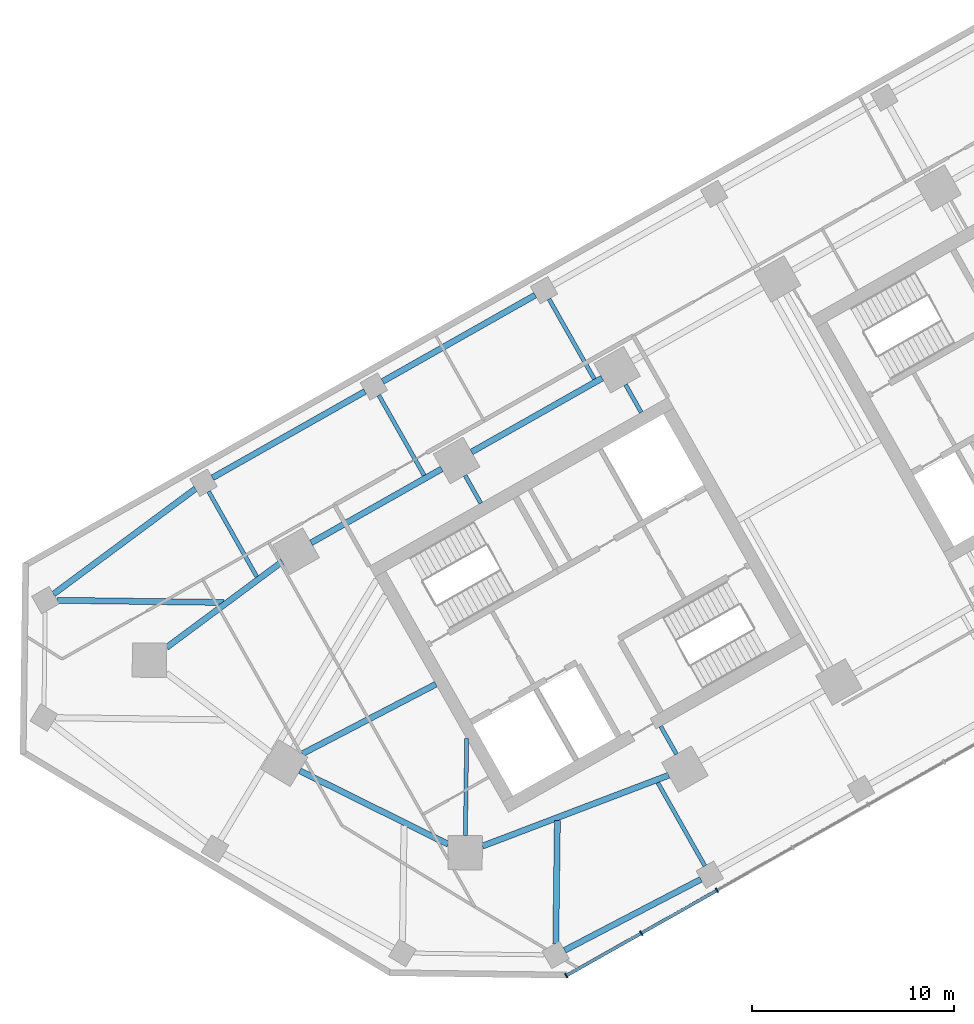
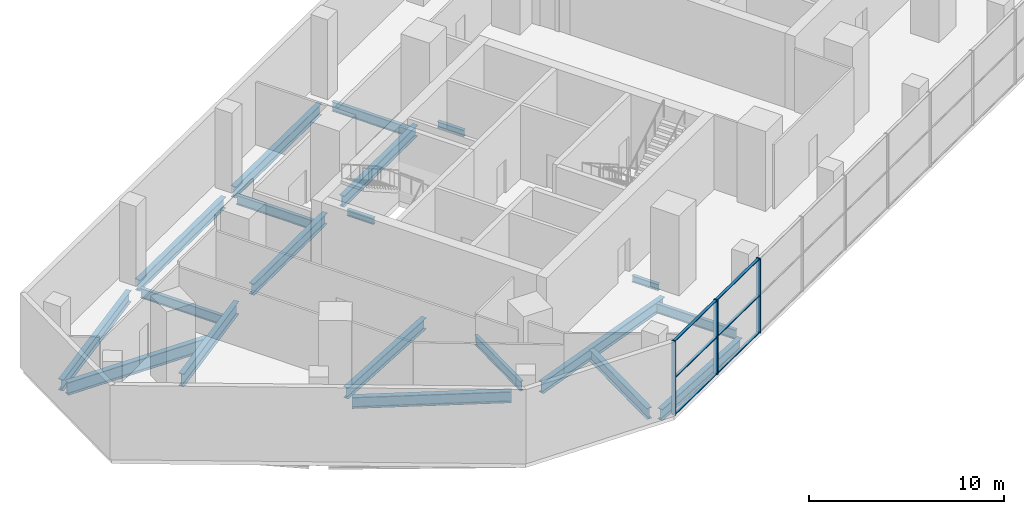
# One storey, part 2 of 15: 20 beams, 9 members, 1 element without a shape of its own.
"""IFC4 building model written with IfcOpenShell, lengths in metres."""

from ifc_helpers import new_model, si_unit, direction, frame, origin, origin_2d, place, context, subcontext, project, spatial, rectangle, i_section, extrude, material, material_profile, profile_set, type_object, element, aggregate, save


model = new_model("IFC4")

# Units and contexts
model_context = context("Model", 3, precision=1e-05, world=origin(), true_north=direction((0.0, 1.0)))
body_context = subcontext(model_context, "Body", "Model", "MODEL_VIEW")
ifc_project = project(units=[si_unit("LENGTHUNIT", "METRE"), si_unit("AREAUNIT", "SQUARE_METRE"), si_unit("VOLUMEUNIT", "CUBIC_METRE"), si_unit("PLANEANGLEUNIT", "RADIAN"), si_unit("MASSUNIT", "GRAM", prefix="KILO")], contexts=[model_context])

# Site, building, storey
site_placement = place(None, origin())
site = spatial("IfcSite", under=ifc_project, at=site_placement, CompositionType="ELEMENT")
building_placement = place(site_placement, origin())
building = spatial("IfcBuilding", under=site, at=building_placement, Name="Binnacle Exchange Tower", CompositionType="ELEMENT")
storey_placement = place(building_placement, frame((0.0, 0.0, 16.5)))
storey = spatial("IfcBuildingStorey", under=building, at=storey_placement, Name="L03", CompositionType="ELEMENT", Elevation=16.5)

# Curtain wall, members
ifc_material_1 = material(Name="Bronze anodised aluminium frame", Category="aluminium")
curtain_wall_type = type_object("IfcCurtainWallType", Name="External wall - curtain wall podium harbour front", PredefinedType="NOTDEFINED", material=ifc_material_1)
curtain_wall_placement = place(storey_placement, origin())
curtain_wall = element("IfcCurtainWall", 1, at=curtain_wall_placement, inside=storey, type_object=curtain_wall_type, Name="External wall curtain wall CW3-P06 L03", PredefinedType="NOTDEFINED")
ifc_material_profile_1 = material_profile(ifc_material_1, rectangle(XDim=0.25, YDim=0.070068359375, at=origin_2d()), Name="AL 70x250")
ifc_profile_set_1 = profile_set([ifc_material_profile_1], Name="Bronze anodised aluminium frame")
member_type_1 = type_object("IfcMemberType", Name="CW3 MULLION 70x250", PredefinedType="MULLION", material=ifc_profile_set_1)
member_1_placement = place(storey_placement, frame((-36.85400390625, 21.404052734375, 0.0), z_axis=(0.0, 0.0, 1.0), x_axis=(-0.492423763004, 0.870355581144, 0.0)))
member_1 = element("IfcMember", 2, at=member_1_placement, type_object=member_type_1, Name="CW3-P06 mullion 1", PredefinedType="MULLION", context=body_context, shape_type="SweptSolid", body=[
    extrude(rectangle(XDim=0.25, YDim=0.070068359375, at=origin_2d()), origin(), (0.0, 0.0, 1.0), 4.64990234375),
])
member_2_placement = place(storey_placement, frame((-33.136962890625, 23.50732421875, 0.0), z_axis=(0.0, 0.0, 1.0), x_axis=(-0.492423763004, 0.870355581144, 0.0)))
member_2 = element("IfcMember", 3, at=member_2_placement, type_object=member_type_1, Name="CW3-P06 mullion 2", PredefinedType="MULLION", context=body_context, shape_type="SweptSolid", body=[
    extrude(rectangle(XDim=0.25, YDim=0.070068359375, at=origin_2d()), origin(), (0.0, 0.0, 1.0), 4.64990234375),
])
member_3_placement = place(storey_placement, frame((-29.38916015625, 25.62744140625, 0.0), z_axis=(0.0, 0.0, 1.0), x_axis=(-0.492423763004, 0.870355581144, 0.0)))
member_3 = element("IfcMember", 4, at=member_3_placement, type_object=member_type_1, Name="CW3-P06 mullion 3", PredefinedType="MULLION", context=body_context, shape_type="SweptSolid", body=[
    extrude(rectangle(XDim=0.25, YDim=0.070068359375, at=origin_2d()), origin(), (0.0, 0.0, 1.0), 4.64990234375),
])
ifc_material_profile_2 = material_profile(ifc_material_1, rectangle(XDim=0.159912109375, YDim=0.050048828125, at=origin_2d()), Name="AL 160x50")
ifc_profile_set_2 = profile_set([ifc_material_profile_2], Name="Bronze anodised aluminium frame")
member_type_2 = type_object("IfcMemberType", Name="CW3 TRANSOM 50x160", PredefinedType="USERDEFINED", material=ifc_profile_set_2)
member_4_placement = place(storey_placement, frame((-36.823486328125, 21.42138671875, 0.02490234375), z_axis=(0.870356022884, 0.492422982231, 0.0), x_axis=(-0.492422982231, 0.870356022884, 0.0)))
member_4 = element("IfcMember", 5, at=member_4_placement, type_object=member_type_2, Name="CW3-P06 transom 1.1", ObjectType="TRANSOM", PredefinedType="USERDEFINED", context=body_context, shape_type="SweptSolid", body=[
    extrude(rectangle(XDim=0.159912109375, YDim=0.050048828125, at=origin_2d()), origin(), (0.0, 0.0, 1.0), 4.200927734375),
])
member_5_placement = place(storey_placement, frame((-36.823486328125, 21.42138671875, 2.324951171875), z_axis=(0.870356022884, 0.492422982231, 0.0), x_axis=(-0.492422982231, 0.870356022884, 0.0)))
member_5 = element("IfcMember", 6, at=member_5_placement, type_object=member_type_2, Name="CW3-P06 transom 1.2", ObjectType="TRANSOM", PredefinedType="USERDEFINED", context=body_context, shape_type="SweptSolid", body=[
    extrude(rectangle(XDim=0.159912109375, YDim=0.050048828125, at=origin_2d()), origin(), (0.0, 0.0, 1.0), 4.200927734375),
])
member_6_placement = place(storey_placement, frame((-36.823486328125, 21.42138671875, 4.625), z_axis=(0.870356022884, 0.492422982231, 0.0), x_axis=(-0.492422982231, 0.870356022884, 0.0)))
member_6 = element("IfcMember", 7, at=member_6_placement, type_object=member_type_2, Name="CW3-P06 transom 1.3", ObjectType="TRANSOM", PredefinedType="USERDEFINED", context=body_context, shape_type="SweptSolid", body=[
    extrude(rectangle(XDim=0.159912109375, YDim=0.050048828125, at=origin_2d()), origin(), (0.0, 0.0, 1.0), 4.200927734375),
])
member_7_placement = place(storey_placement, frame((-33.1064453125, 23.5244140625, 0.02490234375), z_axis=(0.870349143132, 0.492435141972, 0.0), x_axis=(-0.492435141972, 0.870349143132, 0.0)))
member_7 = element("IfcMember", 8, at=member_7_placement, type_object=member_type_2, Name="CW3-P06 transom 2.1", ObjectType="TRANSOM", PredefinedType="USERDEFINED", context=body_context, shape_type="SweptSolid", body=[
    extrude(rectangle(XDim=0.159912109375, YDim=0.050048828125, at=origin_2d()), origin(), (0.0, 0.0, 1.0), 4.236083984375),
])
member_8_placement = place(storey_placement, frame((-33.1064453125, 23.5244140625, 2.324951171875), z_axis=(0.870349143132, 0.492435141972, 0.0), x_axis=(-0.492435141972, 0.870349143132, 0.0)))
member_8 = element("IfcMember", 9, at=member_8_placement, type_object=member_type_2, Name="CW3-P06 transom 2.2", ObjectType="TRANSOM", PredefinedType="USERDEFINED", context=body_context, shape_type="SweptSolid", body=[
    extrude(rectangle(XDim=0.159912109375, YDim=0.050048828125, at=origin_2d()), origin(), (0.0, 0.0, 1.0), 4.236083984375),
])
member_9_placement = place(storey_placement, frame((-33.1064453125, 23.5244140625, 4.625), z_axis=(0.870349143132, 0.492435141972, 0.0), x_axis=(-0.492435141972, 0.870349143132, 0.0)))
member_9 = element("IfcMember", 10, at=member_9_placement, type_object=member_type_2, Name="CW3-P06 transom 2.3", ObjectType="TRANSOM", PredefinedType="USERDEFINED", context=body_context, shape_type="SweptSolid", body=[
    extrude(rectangle(XDim=0.159912109375, YDim=0.050048828125, at=origin_2d()), origin(), (0.0, 0.0, 1.0), 4.236083984375),
])
aggregate(curtain_wall, [member_1, member_2, member_3, member_4, member_5, member_6, member_7, member_8, member_9])

# Beams
ifc_material_2 = material(Name="Steel S355 (SHN355)", Category="steel")
ifc_material_profile_3 = material_profile(ifc_material_2, i_section(OverallWidth=0.300048828125, OverallDepth=0.699951171875, WebThickness=0.012939453125, FlangeThickness=0.02392578125, FilletRadius=0.028076171875, at=origin_2d()), Name="H 700x300x13x24")
ifc_profile_set_3 = profile_set([ifc_material_profile_3], Name="Steel S355 (SHN355)")
beam_type_1 = type_object("IfcBeamType", Name="Edge girder H 700x300x13x24 Steel S355 (SHN355)", PredefinedType="SPANDREL", material=ifc_profile_set_3)
beam_1_placement = place(storey_placement, frame((-62.2421875, 40.302978515625, -0.699951171875), z_axis=(0.803179419827, 0.5957372068, 0.0), x_axis=(-0.5957372068, 0.803179419827, 0.0)))
element("IfcBeam", 11, at=beam_1_placement, inside=storey, type_object=beam_type_1, Name="S:BM:edge:L03:015", PredefinedType="SPANDREL", context=body_context, shape_type="SweptSolid", body=[
    extrude(i_section(OverallWidth=0.300048828125, OverallDepth=0.699951171875, WebThickness=0.012939453125, FlangeThickness=0.02392578125, FilletRadius=0.028076171875, at=origin_2d()), origin(), (0.0, 0.0, 1.0), 8.750244140625),
])
beam_2_placement = place(storey_placement, frame((-54.374267578125, 46.06201171875, -0.699951171875), z_axis=(0.870345980185, 0.492440732247, 0.0), x_axis=(-0.492440732247, 0.870345980185, 0.0)))
element("IfcBeam", 12, at=beam_2_placement, inside=storey, type_object=beam_type_1, Name="S:BM:edge:L03:018", PredefinedType="SPANDREL", context=body_context, shape_type="SweptSolid", body=[
    extrude(i_section(OverallWidth=0.300048828125, OverallDepth=0.699951171875, WebThickness=0.012939453125, FlangeThickness=0.02392578125, FilletRadius=0.028076171875, at=origin_2d()), origin(), (0.0, 0.0, 1.0), 8.68408203125),
])
beam_3_placement = place(storey_placement, frame((-50.0478515625, 31.55224609375, -0.699951171875), z_axis=(0.896059216286, -0.443934545749, 0.0), x_axis=(0.443934545749, 0.896059216286, 0.0)))
element("IfcBeam", 13, at=beam_3_placement, inside=storey, type_object=beam_type_1, Name="S:BM:edge:L03:020", PredefinedType="SPANDREL", context=body_context, shape_type="SweptSolid", body=[
    extrude(i_section(OverallWidth=0.300048828125, OverallDepth=0.699951171875, WebThickness=0.012939453125, FlangeThickness=0.02392578125, FilletRadius=0.028076171875, at=origin_2d()), origin(), (0.0, 0.0, 1.0), 8.197509765625),
])
beam_4_placement = place(storey_placement, frame((-45.94580078125, 50.830810546875, -0.699951171875), z_axis=(0.870370078582, 0.492398138003, 0.0), x_axis=(-0.492398138003, 0.870370078582, 0.0)))
element("IfcBeam", 14, at=beam_4_placement, inside=storey, type_object=beam_type_1, Name="S:BM:edge:L03:021", PredefinedType="SPANDREL", context=body_context, shape_type="SweptSolid", body=[
    extrude(i_section(OverallWidth=0.300048828125, OverallDepth=0.699951171875, WebThickness=0.012939453125, FlangeThickness=0.02392578125, FilletRadius=0.028076171875, at=origin_2d()), origin(), (0.0, 0.0, 1.0), 8.683837890625),
])
beam_5_placement = place(storey_placement, frame((-43.019775390625, 46.5, -0.699951171875), z_axis=(-0.870364477798, -0.492408037898, 0.0), x_axis=(0.492408037898, -0.870364477798, 0.0)))
element("IfcBeam", 15, at=beam_5_placement, inside=storey, type_object=beam_type_1, Name="S:BM:edge:L03:023", PredefinedType="SPANDREL", context=body_context, shape_type="SweptSolid", body=[
    extrude(i_section(OverallWidth=0.300048828125, OverallDepth=0.699951171875, WebThickness=0.012939453125, FlangeThickness=0.02392578125, FilletRadius=0.028076171875, at=origin_2d()), origin(), (0.0, 0.0, 1.0), 7.4296875),
])
beam_6_placement = place(storey_placement, frame((-35.073486328125, 50.995849609375, -0.699951171875), z_axis=(-0.870372444894, -0.492393955253, 0.0), x_axis=(0.492393955253, -0.870372444894, 0.0)))
element("IfcBeam", 16, at=beam_6_placement, inside=storey, type_object=beam_type_1, Name="S:BM:edge:L03:027", PredefinedType="SPANDREL", context=body_context, shape_type="SweptSolid", body=[
    extrude(i_section(OverallWidth=0.300048828125, OverallDepth=0.699951171875, WebThickness=0.012939453125, FlangeThickness=0.02392578125, FilletRadius=0.028076171875, at=origin_2d()), origin(), (0.0, 0.0, 1.0), 7.429931640625),
])
beam_7_placement = place(storey_placement, frame((-30.184326171875, 26.17431640625, -0.699951171875), z_axis=(-0.88697979282, -0.461808236315, 0.0), x_axis=(0.461808236315, -0.88697979282, 0.0)))
element("IfcBeam", 17, at=beam_7_placement, inside=storey, type_object=beam_type_1, Name="S:BM:edge:L03:029", PredefinedType="SPANDREL", context=body_context, shape_type="SweptSolid", body=[
    extrude(i_section(OverallWidth=0.300048828125, OverallDepth=0.699951171875, WebThickness=0.012939453125, FlangeThickness=0.02392578125, FilletRadius=0.028076171875, at=origin_2d()), origin(), (0.0, 0.0, 1.0), 7.610107421875),
])
ifc_material_profile_4 = material_profile(ifc_material_2, i_section(OverallWidth=0.302001953125, OverallDepth=0.7080078125, WebThickness=0.014892578125, FlangeThickness=0.028076171875, FilletRadius=0.028076171875, at=origin_2d()), Name="H 708x302x15x28")
ifc_profile_set_4 = profile_set([ifc_material_profile_4], Name="Steel S355 (SHN355)")
beam_type_2 = type_object("IfcBeamType", Name="Edge girder H 708x302x15x28 Steel S355 (SHN355)", PredefinedType="SPANDREL", material=ifc_profile_set_4)
beam_8_placement = place(storey_placement, frame((-41.00341796875, 27.81982421875, -0.7041015625), z_axis=(0.934628738252, 0.355624973297, 0.0), x_axis=(-0.355624973297, 0.934628738252, 0.0)))
element("IfcBeam", 18, at=beam_8_placement, inside=storey, type_object=beam_type_2, Name="S:BM:edge:L03:024", PredefinedType="SPANDREL", context=body_context, shape_type="SweptSolid", body=[
    extrude(i_section(OverallWidth=0.302001953125, OverallDepth=0.7080078125, WebThickness=0.014892578125, FlangeThickness=0.028076171875, FilletRadius=0.028076171875, at=origin_2d()), origin(), (0.0, 0.0, 1.0), 9.869384765625),
])
ifc_material_profile_5 = material_profile(ifc_material_2, i_section(OverallWidth=0.300048828125, OverallDepth=0.800048828125, WebThickness=0.013916015625, FlangeThickness=0.02587890625, FilletRadius=0.028076171875, at=origin_2d()), Name="H 800x300x14x26")
ifc_profile_set_5 = profile_set([ifc_material_profile_5], Name="Steel S355 (SHN355)")
beam_type_3 = type_object("IfcBeamType", Name="Edge girder H 800x300x14x26 Steel S355 (SHN355)", PredefinedType="SPANDREL", material=ifc_profile_set_5)
beam_9_placement = place(storey_placement, frame((-50.913818359375, 41.912353515625, -0.75), z_axis=(-0.80288535334, -0.59613346609, 0.0), x_axis=(0.59613346609, -0.80288535334, 0.0)))
element("IfcBeam", 19, at=beam_9_placement, inside=storey, type_object=beam_type_3, Name="S:BM:edge:L03:019", PredefinedType="SPANDREL", context=body_context, shape_type="SweptSolid", body=[
    extrude(i_section(OverallWidth=0.300048828125, OverallDepth=0.800048828125, WebThickness=0.013916015625, FlangeThickness=0.02587890625, FilletRadius=0.028076171875, at=origin_2d()), origin(), (0.0, 0.0, 1.0), 7.125244140625),
])
ifc_material_profile_6 = material_profile(ifc_material_2, i_section(OverallWidth=0.199951171875, OverallDepth=0.39990234375, WebThickness=0.008056640625, FlangeThickness=0.012939453125, FilletRadius=0.01611328125, at=origin_2d()), Name="H 400x200x8x13")
ifc_profile_set_6 = profile_set([ifc_material_profile_6], Name="Steel S355 (SHN355)")
beam_type_4 = type_object("IfcBeamType", Name="Floor beam H 400x200x8x13 Steel S355 (SHN355)", PredefinedType="BEAM", material=ifc_profile_set_6)
beam_10_placement = place(storey_placement, frame((-41.861328125, 46.178955078125, -0.550048828125), z_axis=(0.492366981934, -0.870387703901, 0.0), x_axis=(0.870387703901, 0.492366981934, 0.0)))
element("IfcBeam", 20, at=beam_10_placement, inside=storey, type_object=beam_type_4, Name="S:BM:cross:L03:083", PredefinedType="BEAM", context=body_context, shape_type="SweptSolid", body=[
    extrude(i_section(OverallWidth=0.199951171875, OverallDepth=0.39990234375, WebThickness=0.008056640625, FlangeThickness=0.012939453125, FilletRadius=0.01611328125, at=origin_2d()), origin(), (0.0, 0.0, 1.0), 1.584228515625),
])
beam_11_placement = place(storey_placement, frame((-33.915283203125, 50.674560546875, -0.550048828125), z_axis=(0.492483715062, -0.870321659158, 0.0), x_axis=(0.870321659158, 0.492483715062, 0.0)))
element("IfcBeam", 21, at=beam_11_placement, inside=storey, type_object=beam_type_4, Name="S:BM:cross:L03:087", PredefinedType="BEAM", context=body_context, shape_type="SweptSolid", body=[
    extrude(i_section(OverallWidth=0.199951171875, OverallDepth=0.39990234375, WebThickness=0.008056640625, FlangeThickness=0.012939453125, FilletRadius=0.01611328125, at=origin_2d()), origin(), (0.0, 0.0, 1.0), 1.58447265625),
])
beam_12_placement = place(storey_placement, frame((-31.394287109375, 32.375, -0.550048828125), z_axis=(-0.492366981934, 0.870387703901, 0.0), x_axis=(-0.870387703901, -0.492366981934, 0.0)))
element("IfcBeam", 22, at=beam_12_placement, inside=storey, type_object=beam_type_4, Name="S:BM:cross:L03:088", PredefinedType="BEAM", context=body_context, shape_type="SweptSolid", body=[
    extrude(i_section(OverallWidth=0.199951171875, OverallDepth=0.39990234375, WebThickness=0.008056640625, FlangeThickness=0.012939453125, FilletRadius=0.01611328125, at=origin_2d()), origin(), (0.0, 0.0, 1.0), 1.584228515625),
])
ifc_material_profile_7 = material_profile(ifc_material_2, i_section(OverallWidth=0.199951171875, OverallDepth=0.60009765625, WebThickness=0.010986328125, FlangeThickness=0.01708984375, FilletRadius=0.02197265625, at=origin_2d()), Name="H 600x200x11x17")
ifc_profile_set_7 = profile_set([ifc_material_profile_7], Name="Steel S355 (SHN355)")
beam_type_5 = type_object("IfcBeamType", Name="Floor beam H 600x200x11x17 Steel S355 (SHN355)", PredefinedType="BEAM", material=ifc_profile_set_7)
beam_13_placement = place(storey_placement, frame((-46.134765625, 50.1494140625, -0.64990234375), z_axis=(0.492392410291, -0.87037331892, 0.0), x_axis=(0.87037331892, 0.492392410291, 0.0)))
element("IfcBeam", 23, at=beam_13_placement, inside=storey, type_object=beam_type_5, Name="S:BM:cross:L03:081", PredefinedType="BEAM", context=body_context, shape_type="SweptSolid", body=[
    extrude(i_section(OverallWidth=0.199951171875, OverallDepth=0.60009765625, WebThickness=0.010986328125, FlangeThickness=0.01708984375, FilletRadius=0.02197265625, at=origin_2d()), origin(), (0.0, 0.0, 1.0), 4.56005859375),
])
beam_14_placement = place(storey_placement, frame((-37.706298828125, 54.917724609375, -0.64990234375), z_axis=(0.492415355874, -0.870360337619, 0.0), x_axis=(0.870360337619, 0.492415355874, 0.0)))
element("IfcBeam", 24, at=beam_14_placement, inside=storey, type_object=beam_type_5, Name="S:BM:cross:L03:085", PredefinedType="BEAM", context=body_context, shape_type="SweptSolid", body=[
    extrude(i_section(OverallWidth=0.199951171875, OverallDepth=0.60009765625, WebThickness=0.010986328125, FlangeThickness=0.01708984375, FilletRadius=0.02197265625, at=origin_2d()), origin(), (0.0, 0.0, 1.0), 4.559814453125),
])
beam_15_placement = place(storey_placement, frame((-29.98681640625, 26.840576171875, -0.64990234375), z_axis=(-0.492417108435, 0.870359346087, 0.0), x_axis=(-0.870359346087, -0.492417108435, 0.0)))
element("IfcBeam", 25, at=beam_15_placement, inside=storey, type_object=beam_type_5, Name="S:BM:cross:L03:089", PredefinedType="BEAM", context=body_context, shape_type="SweptSolid", body=[
    extrude(i_section(OverallWidth=0.199951171875, OverallDepth=0.60009765625, WebThickness=0.010986328125, FlangeThickness=0.01708984375, FilletRadius=0.02197265625, at=origin_2d()), origin(), (0.0, 0.0, 1.0), 4.73876953125),
])
ifc_material_profile_8 = material_profile(ifc_material_2, i_section(OverallWidth=0.200927734375, OverallDepth=0.60595703125, WebThickness=0.011962890625, FlangeThickness=0.02001953125, FilletRadius=0.02197265625, at=origin_2d()), Name="H 606x201x12x20")
ifc_profile_set_8 = profile_set([ifc_material_profile_8], Name="Steel S355 (SHN355)")
beam_type_6 = type_object("IfcBeamType", Name="Floor beam H 606x201x12x20 Steel S355 (SHN355)", PredefinedType="BEAM", material=ifc_profile_set_8)
beam_16_placement = place(storey_placement, frame((-54.563232421875, 45.380615234375, -0.653076171875), z_axis=(0.492430552239, -0.870351739943, 0.0), x_axis=(0.870351739943, 0.492430552239, 0.0)))
element("IfcBeam", 26, at=beam_16_placement, inside=storey, type_object=beam_type_6, Name="S:BM:cross:L03:078", PredefinedType="BEAM", context=body_context, shape_type="SweptSolid", body=[
    extrude(i_section(OverallWidth=0.200927734375, OverallDepth=0.60595703125, WebThickness=0.011962890625, FlangeThickness=0.02001953125, FilletRadius=0.02197265625, at=origin_2d()), origin(), (0.0, 0.0, 1.0), 4.848388671875),
])
beam_17_placement = place(storey_placement, frame((-41.8466796875, 28.3447265625, -0.653076171875), z_axis=(0.013120628196, 0.999913920853, 0.0), x_axis=(-0.999913920853, 0.013120628196, 0.0)))
element("IfcBeam", 27, at=beam_17_placement, inside=storey, type_object=beam_type_6, Name="S:BM:cross:L03:084", PredefinedType="BEAM", context=body_context, shape_type="SweptSolid", body=[
    extrude(i_section(OverallWidth=0.200927734375, OverallDepth=0.60595703125, WebThickness=0.011962890625, FlangeThickness=0.02001953125, FilletRadius=0.02197265625, at=origin_2d()), origin(), (0.0, 0.0, 1.0), 4.80078125),
])
ifc_material_profile_9 = material_profile(ifc_material_2, i_section(OverallWidth=0.300048828125, OverallDepth=0.699951171875, WebThickness=0.012939453125, FlangeThickness=0.02392578125, FilletRadius=0.028076171875, at=origin_2d()), Name="H 700x300x13x24")
ifc_profile_set_9 = profile_set([ifc_material_profile_9], Name="Steel S355 (SHN355)")
beam_type_7 = type_object("IfcBeamType", Name="Floor beam H 700x300x13x24 Steel S355 (SHN355)", PredefinedType="BEAM", material=ifc_profile_set_9)
beam_18_placement = place(storey_placement, frame((-37.37060546875, 23.0078125, -0.699951171875), z_axis=(0.013099663551, 0.999914195726, 0.0), x_axis=(-0.999914195726, 0.013099663551, 0.0)))
element("IfcBeam", 28, at=beam_18_placement, inside=storey, type_object=beam_type_7, Name="S:BM:cross:L03:086", PredefinedType="BEAM", context=body_context, shape_type="SweptSolid", body=[
    extrude(i_section(OverallWidth=0.300048828125, OverallDepth=0.699951171875, WebThickness=0.012939453125, FlangeThickness=0.02392578125, FilletRadius=0.028076171875, at=origin_2d()), origin(), (0.0, 0.0, 1.0), 6.07568359375),
])
ifc_material_profile_10 = material_profile(ifc_material_2, i_section(OverallWidth=0.300048828125, OverallDepth=0.800048828125, WebThickness=0.013916015625, FlangeThickness=0.02587890625, FilletRadius=0.028076171875, at=origin_2d()), Name="H 800x300x14x26")
ifc_profile_set_10 = profile_set([ifc_material_profile_10], Name="Steel S355 (SHN355)")
beam_type_8 = type_object("IfcBeamType", Name="Floor beam H 800x300x14x26 Steel S355 (SHN355)", PredefinedType="BEAM", material=ifc_profile_set_10)
beam_19_placement = place(storey_placement, frame((-62.068115234375, 39.995361328125, -0.75), z_axis=(0.999914190197, -0.013100085584, 0.0), x_axis=(0.013100085584, 0.999914190197, 0.0)))
element("IfcBeam", 29, at=beam_19_placement, inside=storey, type_object=beam_type_8, Name="S:BM:cross:L03:077", PredefinedType="BEAM", context=body_context, shape_type="SweptSolid", body=[
    extrude(i_section(OverallWidth=0.300048828125, OverallDepth=0.800048828125, WebThickness=0.013916015625, FlangeThickness=0.02587890625, FilletRadius=0.028076171875, at=origin_2d()), origin(), (0.0, 0.0, 1.0), 8.274658203125),
])
ifc_material_profile_11 = material_profile(ifc_material_2, i_section(OverallWidth=0.300048828125, OverallDepth=0.699951171875, WebThickness=0.012939453125, FlangeThickness=0.02392578125, FilletRadius=0.028076171875, at=origin_2d()), Name="H 700x300x13x24")
ifc_profile_set_11 = profile_set([ifc_material_profile_11], Name="Steel S355 (SHN355)")
beam_type_9 = type_object("IfcBeamType", Name="Spine girder H 700x300x13x24 Steel S355 (SHN355)", PredefinedType="BEAM", material=ifc_profile_set_11)
beam_20_placement = place(storey_placement, frame((-49.927734375, 32.391357421875, -0.699951171875), z_axis=(0.886979965344, 0.461807904954, 0.0), x_axis=(-0.461807904954, 0.886979965344, 0.0)))
element("IfcBeam", 30, at=beam_20_placement, inside=storey, type_object=beam_type_9, Name="S:BM:spine:L03:001", PredefinedType="BEAM", context=body_context, shape_type="SweptSolid", body=[
    extrude(i_section(OverallWidth=0.300048828125, OverallDepth=0.699951171875, WebThickness=0.012939453125, FlangeThickness=0.02392578125, FilletRadius=0.028076171875, at=origin_2d()), origin(), (0.0, 0.0, 1.0), 7.463623046875),
])

save(model, "model.ifc")
